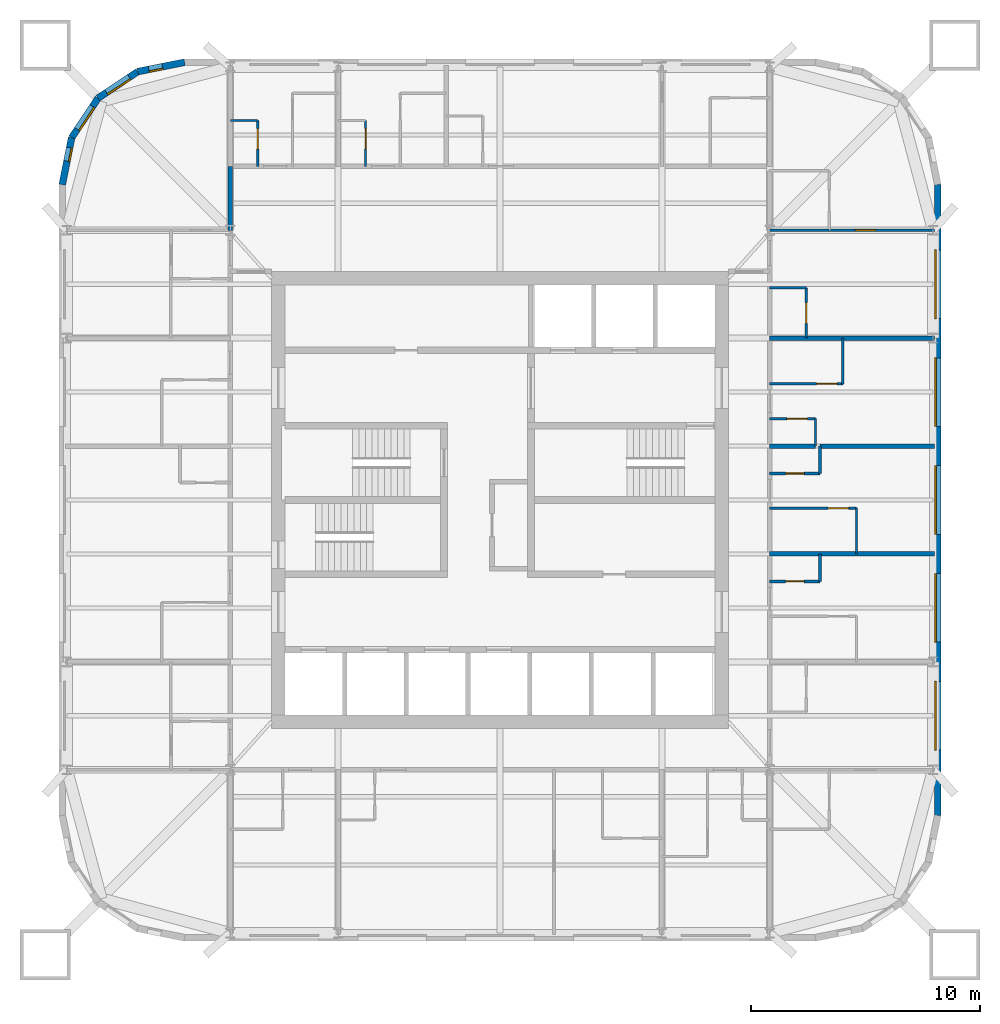
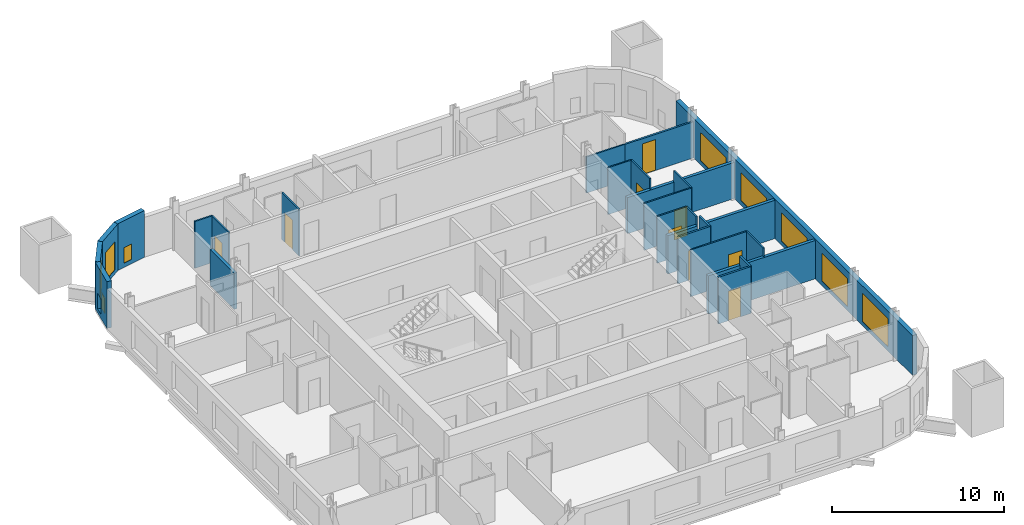
# One storey, part 6 of 9: 27 walls, 9 doors, 9 windows, 18 openings.
"""IFC4 building model written with IfcOpenShell, lengths in metres."""

from ifc_helpers import new_model, si_unit, direction, frame, frame_2d, origin, place, context, subcontext, project, spatial, rectangle, extrude, material, layer, layer_set, type_object, element, fill, save


model = new_model("IFC4")

# Units and contexts
model_context = context("Model", 3, precision=1e-05, world=origin(), true_north=direction((0.0, 1.0)))
body_context = subcontext(model_context, "Body", "Model", "MODEL_VIEW")
ifc_project = project(units=[si_unit("LENGTHUNIT", "METRE"), si_unit("AREAUNIT", "SQUARE_METRE"), si_unit("VOLUMEUNIT", "CUBIC_METRE"), si_unit("PLANEANGLEUNIT", "RADIAN"), si_unit("MASSUNIT", "GRAM", prefix="KILO")], contexts=[model_context])

# Site, building, storey
site_placement = place(None, origin())
site = spatial("IfcSite", under=ifc_project, at=site_placement, CompositionType="ELEMENT")
building_placement = place(site_placement, origin())
building = spatial("IfcBuilding", under=site, at=building_placement, Name="Turquesa Mirador Hotel Tower", CompositionType="ELEMENT")
storey_placement = place(building_placement, frame((0.0, 0.0, 210.800048828125)))
storey = spatial("IfcBuildingStorey", under=building, at=storey_placement, Name="L57", CompositionType="ELEMENT", Elevation=210.800048828125)

# Wall, opening, door
ifc_material_1 = material(Name="Gypsum board on steel studs", Category="steel")
ifc_layer_1 = layer(ifc_material_1, 0.10009765625)
ifc_layer_set_1 = layer_set([ifc_layer_1], Name="BATHROOM WALL 100")
wall_type_1 = type_object("IfcWallType", Name="BATHROOM WALL 100", PredefinedType="PARTITIONING", material=ifc_layer_set_1)
wall_1_placement = place(storey_placement, frame((66.800048828125, 44.639892578125, 0.0), z_axis=(0.0, 0.0, 1.0), x_axis=(1.0, 0.0, 0.0)))
wall_1 = element("IfcWall", 1, at=wall_1_placement, inside=storey, type_object=wall_type_1, Name="Partition L57 001", PredefinedType="PARTITIONING", context=body_context, shape_type="SweptSolid", body=[
    extrude(rectangle(XDim=3.800048828125, YDim=0.10009765625, at=frame_2d((1.89990234375, 0.0))), origin(), (0.0, 0.0, 1.0), 3.329833984375),
])
opening_1_placement = place(wall_1_placement, frame((2.550048828125, 0.0, 0.0)))
opening_1 = element("IfcOpeningElement", 2, at=opening_1_placement, cuts=wall_1, Name="Opening D02", PredefinedType="OPENING", context=body_context, shape_type="SweptSolid", body=[
    extrude(rectangle(XDim=0.89990234375, YDim=2.10009765625, at=frame_2d((0.449951171875, 1.050048828125))), frame((0.0, 0.06005859375, 0.0), z_axis=(0.0, -1.0, 0.0), x_axis=(1.0, 0.0, 0.0)), (0.0, 0.0, 1.0), 0.1201171875),
])
ifc_material_2 = material(Name="Timber veneered door", Category="wood")
door_type_1 = type_object("IfcDoorType", Name="DOOR 900X2100 EN-SUITE", OperationType="SINGLE_SWING_RIGHT", PredefinedType="DOOR", material=ifc_material_2)
door_1_placement = place(opening_1_placement, origin())
door_1 = element("IfcDoor", 3, at=door_1_placement, inside=storey, type_object=door_type_1, Name="Door 5708B", OperationType="SINGLE_SWING_RIGHT", OverallHeight=2.10009765625, OverallWidth=0.89990234375, PredefinedType="DOOR", context=body_context, shape_type="SweptSolid", body=[
    extrude(rectangle(XDim=0.89990234375, YDim=2.10009765625, at=frame_2d((0.449951171875, 1.050048828125))), frame((0.0, 0.02490234375, 0.0), z_axis=(0.0, -1.0, 0.0), x_axis=(1.0, 0.0, 0.0)), (0.0, 0.0, 1.0), 0.050048828125),
])
fill(opening_1, door_1)

# Walls
wall_2_placement = place(storey_placement, frame((66.800048828125, 56.800048828125, 0.0), z_axis=(0.0, 0.0, 1.0), x_axis=(1.0, 0.0, 0.0)))
element("IfcWall", 4, at=wall_2_placement, inside=storey, type_object=wall_type_1, Name="Partition L57 024", PredefinedType="PARTITIONING", context=body_context, shape_type="SweptSolid", body=[
    extrude(rectangle(XDim=2.599853515625, YDim=0.10009765625, at=frame_2d((1.2998046875, 0.0))), origin(), (0.0, 0.0, 1.0), 2.572998046875),
])
wall_3_placement = place(storey_placement, frame((43.199951171875, 61.60009765625, 0.0), z_axis=(0.0, 0.0, 1.0), x_axis=(1.0, 0.0, 0.0)))
element("IfcWall", 5, at=wall_3_placement, inside=storey, type_object=wall_type_1, Name="Partition L57 029", PredefinedType="PARTITIONING", context=body_context, shape_type="SweptSolid", body=[
    extrude(rectangle(XDim=1.199951171875, YDim=0.10009765625, at=frame_2d((0.60009765625, 0.0))), origin(), (0.0, 0.0, 1.0), 3.329833984375),
])

# Wall, opening, door
wall_4_placement = place(storey_placement, frame((66.800048828125, 48.56005859375, 0.0), z_axis=(0.0, 0.0, 1.0), x_axis=(1.0, 0.0, 0.0)))
wall_4 = element("IfcWall", 6, at=wall_4_placement, inside=storey, type_object=wall_type_1, Name="Partition L57 038", PredefinedType="PARTITIONING", context=body_context, shape_type="SweptSolid", body=[
    extrude(rectangle(XDim=2.0, YDim=0.10009765625, at=frame_2d((1.0, 0.0))), origin(), (0.0, 0.0, 1.0), 3.329833984375),
])
opening_2_placement = place(wall_4_placement, frame((0.75, 0.0, 0.0)))
opening_2 = element("IfcOpeningElement", 7, at=opening_2_placement, cuts=wall_4, Name="Opening D06", PredefinedType="OPENING", context=body_context, shape_type="SweptSolid", body=[
    extrude(rectangle(XDim=0.89990234375, YDim=2.10009765625, at=frame_2d((0.449951171875, 1.050048828125))), frame((0.0, 0.06005859375, 0.0), z_axis=(0.0, -1.0, 0.0), x_axis=(1.0, 0.0, 0.0)), (0.0, 0.0, 1.0), 0.1201171875),
])
ifc_material_3 = material(Name="Laminate door", Category="wood")
door_type_2 = type_object("IfcDoorType", Name="DOOR 900X2100 WC", OperationType="SINGLE_SWING_LEFT", PredefinedType="DOOR", material=ifc_material_3)
door_2_placement = place(opening_2_placement, origin())
door_2 = element("IfcDoor", 8, at=door_2_placement, inside=storey, type_object=door_type_2, Name="Door 5709W", OperationType="SINGLE_SWING_LEFT", OverallHeight=2.10009765625, OverallWidth=0.89990234375, PredefinedType="DOOR", context=body_context, shape_type="SweptSolid", body=[
    extrude(rectangle(XDim=0.89990234375, YDim=2.10009765625, at=frame_2d((0.449951171875, 1.050048828125))), frame((0.0, 0.02490234375, 0.0), z_axis=(0.0, -1.0, 0.0), x_axis=(1.0, 0.0, 0.0)), (0.0, 0.0, 1.0), 0.050048828125),
])
fill(opening_2, door_2)

wall_5_placement = place(storey_placement, frame((66.800048828125, 50.080078125, 0.0), z_axis=(0.0, 0.0, 1.0), x_axis=(1.0, 0.0, 0.0)))
wall_5 = element("IfcWall", 9, at=wall_5_placement, inside=storey, type_object=wall_type_1, Name="Partition L57 039", PredefinedType="PARTITIONING", context=body_context, shape_type="SweptSolid", body=[
    extrude(rectangle(XDim=3.199951171875, YDim=0.10009765625, at=frame_2d((1.60009765625, 0.0))), origin(), (0.0, 0.0, 1.0), 3.329833984375),
])
opening_3_placement = place(wall_5_placement, frame((2.050048828125, 0.0, 0.0)))
opening_3 = element("IfcOpeningElement", 10, at=opening_3_placement, cuts=wall_5, Name="Opening D02", PredefinedType="OPENING", context=body_context, shape_type="SweptSolid", body=[
    extrude(rectangle(XDim=0.89990234375, YDim=2.10009765625, at=frame_2d((0.449951171875, 1.050048828125))), frame((0.0, 0.06005859375, 0.0), z_axis=(0.0, -1.0, 0.0), x_axis=(1.0, 0.0, 0.0)), (0.0, 0.0, 1.0), 0.1201171875),
])
door_3_placement = place(opening_3_placement, origin())
door_3 = element("IfcDoor", 11, at=door_3_placement, inside=storey, type_object=door_type_1, Name="Door 5709B", OperationType="SINGLE_SWING_RIGHT", OverallHeight=2.10009765625, OverallWidth=0.89990234375, PredefinedType="DOOR", context=body_context, shape_type="SweptSolid", body=[
    extrude(rectangle(XDim=0.89990234375, YDim=2.10009765625, at=frame_2d((0.449951171875, 1.050048828125))), frame((0.0, 0.02490234375, 0.0), z_axis=(0.0, -1.0, 0.0), x_axis=(1.0, 0.0, 0.0)), (0.0, 0.0, 1.0), 0.050048828125),
])
fill(opening_3, door_3)

# Wall
wall_6_placement = place(storey_placement, frame((66.800048828125, 54.280029296875, 0.0), z_axis=(0.0, 0.0, 1.0), x_axis=(1.0, 0.0, 0.0)))
element("IfcWall", 12, at=wall_6_placement, inside=storey, type_object=wall_type_1, Name="Partition L57 043", PredefinedType="PARTITIONING", context=body_context, shape_type="SweptSolid", body=[
    extrude(rectangle(XDim=1.599853515625, YDim=0.10009765625, at=frame_2d((0.7998046875, 0.0))), origin(), (0.0, 0.0, 1.0), 3.329833984375),
])

# Wall, opening, door
wall_7_placement = place(storey_placement, frame((44.39990234375, 59.60009765625, 0.0), z_axis=(0.0, 0.0, 1.0), x_axis=(0.0, 1.0, 0.0)))
wall_7 = element("IfcWall", 13, at=wall_7_placement, inside=storey, type_object=wall_type_1, Name="Partition L57 046", PredefinedType="PARTITIONING", context=body_context, shape_type="SweptSolid", body=[
    extrude(rectangle(XDim=2.0, YDim=0.10009765625, at=frame_2d((1.0, 0.0))), origin(), (0.0, 0.0, 1.0), 3.329833984375),
])
opening_4_placement = place(wall_7_placement, frame((0.75, 0.0, 0.0)))
opening_4 = element("IfcOpeningElement", 14, at=opening_4_placement, cuts=wall_7, Name="Opening D06", PredefinedType="OPENING", context=body_context, shape_type="SweptSolid", body=[
    extrude(rectangle(XDim=0.89990234375, YDim=2.10009765625, at=frame_2d((0.449951171875, 1.050048828125))), frame((0.0, 0.06005859375, 0.0), z_axis=(0.0, -1.0, 0.0), x_axis=(1.0, 0.0, 0.0)), (0.0, 0.0, 1.0), 0.1201171875),
])
door_4_placement = place(opening_4_placement, origin())
door_4 = element("IfcDoor", 15, at=door_4_placement, inside=storey, type_object=door_type_2, Name="Door 5701W", OperationType="SINGLE_SWING_LEFT", OverallHeight=2.10009765625, OverallWidth=0.89990234375, PredefinedType="DOOR", context=body_context, shape_type="SweptSolid", body=[
    extrude(rectangle(XDim=0.89990234375, YDim=2.10009765625, at=frame_2d((0.449951171875, 1.050048828125))), frame((0.0, 0.02490234375, 0.0), z_axis=(0.0, -1.0, 0.0), x_axis=(1.0, 0.0, 0.0)), (0.0, 0.0, 1.0), 0.050048828125),
])
fill(opening_4, door_4)

wall_8_placement = place(storey_placement, frame((49.1201171875, 59.60009765625, 0.0), z_axis=(0.0, 0.0, 1.0), x_axis=(0.0, 1.0, 0.0)))
wall_8 = element("IfcWall", 16, at=wall_8_placement, inside=storey, type_object=wall_type_1, Name="Partition L57 060", PredefinedType="PARTITIONING", context=body_context, shape_type="SweptSolid", body=[
    extrude(rectangle(XDim=2.0, YDim=0.10009765625, at=frame_2d((1.0, 0.0))), origin(), (0.0, 0.0, 1.0), 3.329833984375),
])
opening_5_placement = place(wall_8_placement, frame((0.75, 0.0, 0.0)))
opening_5 = element("IfcOpeningElement", 17, at=opening_5_placement, cuts=wall_8, Name="Opening D06", PredefinedType="OPENING", context=body_context, shape_type="SweptSolid", body=[
    extrude(rectangle(XDim=0.89990234375, YDim=2.10009765625, at=frame_2d((0.449951171875, 1.050048828125))), frame((0.0, 0.06005859375, 0.0), z_axis=(0.0, -1.0, 0.0), x_axis=(1.0, 0.0, 0.0)), (0.0, 0.0, 1.0), 0.1201171875),
])
door_5_placement = place(opening_5_placement, origin())
door_5 = element("IfcDoor", 18, at=door_5_placement, inside=storey, type_object=door_type_2, Name="Door 5702W", OperationType="SINGLE_SWING_LEFT", OverallHeight=2.10009765625, OverallWidth=0.89990234375, PredefinedType="DOOR", context=body_context, shape_type="SweptSolid", body=[
    extrude(rectangle(XDim=0.89990234375, YDim=2.10009765625, at=frame_2d((0.449951171875, 1.050048828125))), frame((0.0, 0.02490234375, 0.0), z_axis=(0.0, -1.0, 0.0), x_axis=(1.0, 0.0, 0.0)), (0.0, 0.0, 1.0), 0.050048828125),
])
fill(opening_5, door_5)

wall_9_placement = place(storey_placement, frame((68.39990234375, 52.080078125, 0.0), z_axis=(0.0, 0.0, 1.0), x_axis=(0.0, 1.0, 0.0)))
wall_9 = element("IfcWall", 19, at=wall_9_placement, inside=storey, type_object=wall_type_1, Name="Partition L57 070", PredefinedType="PARTITIONING", context=body_context, shape_type="SweptSolid", body=[
    extrude(rectangle(XDim=2.199951171875, YDim=0.10009765625, at=frame_2d((1.10009765625, 0.0))), origin(), (0.0, 0.0, 1.0), 3.329833984375),
])
opening_6_placement = place(wall_9_placement, frame((0.64990234375, 0.0, 0.0)))
opening_6 = element("IfcOpeningElement", 20, at=opening_6_placement, cuts=wall_9, Name="Opening D06", PredefinedType="OPENING", context=body_context, shape_type="SweptSolid", body=[
    extrude(rectangle(XDim=0.89990234375, YDim=2.10009765625, at=frame_2d((0.449951171875, 1.050048828125))), frame((0.0, 0.06005859375, 0.0), z_axis=(0.0, -1.0, 0.0), x_axis=(1.0, 0.0, 0.0)), (0.0, 0.0, 1.0), 0.1201171875),
])
door_6_placement = place(opening_6_placement, origin())
door_6 = element("IfcDoor", 21, at=door_6_placement, inside=storey, type_object=door_type_2, Name="Door 5712W", OperationType="SINGLE_SWING_LEFT", OverallHeight=2.10009765625, OverallWidth=0.89990234375, PredefinedType="DOOR", context=body_context, shape_type="SweptSolid", body=[
    extrude(rectangle(XDim=0.89990234375, YDim=2.10009765625, at=frame_2d((0.449951171875, 1.050048828125))), frame((0.0, 0.02490234375, 0.0), z_axis=(0.0, -1.0, 0.0), x_axis=(1.0, 0.0, 0.0)), (0.0, 0.0, 1.0), 0.050048828125),
])
fill(opening_6, door_6)

# Walls
wall_10_placement = place(storey_placement, frame((68.800048828125, 47.360107421875, 0.0), z_axis=(0.0, 0.0, 1.0), x_axis=(0.0, 1.0, 0.0)))
element("IfcWall", 22, at=wall_10_placement, inside=storey, type_object=wall_type_1, Name="Partition L57 071", PredefinedType="PARTITIONING", context=body_context, shape_type="SweptSolid", body=[
    extrude(rectangle(XDim=1.199951171875, YDim=0.10009765625, at=frame_2d((0.60009765625, 0.0))), origin(), (0.0, 0.0, 1.0), 3.329833984375),
])
for number, where, z_axis, x_axis, name in (
    (23, (70.0, 50.080078125, 0.0), (0.0, 0.0, 1.0), (0.0, 1.0, 0.0), "Partition L57 076"),
    (24, (70.60009765625, 42.639892578125, 0.0), (0.0, 0.0, 1.0), (0.0, 1.0, 0.0), "Partition L57 078"),
):
    element("IfcWall", number, at=place(storey_placement, frame(where, z_axis=z_axis, x_axis=x_axis)), inside=storey, type_object=wall_type_1, Name=name, PredefinedType="PARTITIONING", context=body_context, shape_type="SweptSolid", body=[
        extrude(rectangle(XDim=2.0, YDim=0.10009765625, at=frame_2d((1.0, 0.0))), origin(), (0.0, 0.0, 1.0), 3.329833984375),
    ])
ifc_material_4 = material(Name="Fire-rated gypsum board on steel studs", Category="steel")
ifc_layer_2 = layer(ifc_material_4, 0.199951171875)
ifc_layer_set_2 = layer_set([ifc_layer_2], Name="CORRIDOR WALL 200")
wall_type_2 = type_object("IfcWallType", Name="CORRIDOR WALL 200", PredefinedType="PARTITIONING", material=ifc_layer_set_2)
wall_11_placement = place(storey_placement, frame((43.199951171875, 56.780029296875, 0.0), z_axis=(0.0, 0.0, 1.0), x_axis=(0.0, 1.0, 0.0)))
element("IfcWall", 25, at=wall_11_placement, inside=storey, type_object=wall_type_2, Name="Partition L57 085", PredefinedType="PARTITIONING", context=body_context, shape_type="SweptSolid", body=[
    extrude(rectangle(XDim=2.820068359375, YDim=0.199951171875, at=frame_2d((1.41015625, 0.0))), origin(), (0.0, 0.0, 1.0), 2.572998046875),
])

# Wall, openings, windows
ifc_material_5 = material(Name="Limestone cladding on concrete block", Category="masonry")
ifc_layer_3 = layer(ifc_material_5, 0.300048828125)
ifc_layer_set_3 = layer_set([ifc_layer_3], Name="FACADE WALL 300 STONE SCREEN")
wall_type_3 = type_object("IfcWallType", Name="FACADE WALL 300 STONE SCREEN", PredefinedType="SOLIDWALL", material=ifc_layer_set_3)
wall_12_placement = place(storey_placement, frame((74.14990234375, 31.199951171875, 0.0), z_axis=(0.0, 0.0, 1.0), x_axis=(0.0, 1.0, 0.0)))
wall_12 = element("IfcWall", 26, at=wall_12_placement, inside=storey, type_object=wall_type_3, Name="Facade wall L57 04", PredefinedType="SOLIDWALL", context=body_context, shape_type="SweptSolid", body=[
    extrude(rectangle(XDim=27.60009765625, YDim=0.300048828125, at=frame_2d((13.800048828125, 0.0))), origin(), (0.0, 0.0, 1.0), 2.829833984375),
])
opening_7_placement = place(wall_12_placement, frame((2.860107421875, 0.0, 0.300048828125)))
opening_7 = element("IfcOpeningElement", 27, at=opening_7_placement, cuts=wall_12, Name="Opening WN1", PredefinedType="OPENING", context=body_context, shape_type="SweptSolid", body=[
    extrude(rectangle(XDim=3.0, YDim=2.0, at=frame_2d((1.5, 1.0))), frame((0.0, 0.159912109375, 0.0), z_axis=(0.0, -1.0, 0.0), x_axis=(1.0, 0.0, 0.0)), (0.0, 0.0, 1.0), 0.320068359375),
])
opening_8_placement = place(wall_12_placement, frame((7.580078125, 0.0, 0.300048828125)))
opening_8 = element("IfcOpeningElement", 28, at=opening_8_placement, cuts=wall_12, Name="Opening WN1", PredefinedType="OPENING", context=body_context, shape_type="SweptSolid", body=[
    extrude(rectangle(XDim=3.0, YDim=2.0, at=frame_2d((1.5, 1.0))), frame((0.0, 0.159912109375, 0.0), z_axis=(0.0, -1.0, 0.0), x_axis=(1.0, 0.0, 0.0)), (0.0, 0.0, 1.0), 0.320068359375),
])
opening_9_placement = place(wall_12_placement, frame((12.300048828125, 0.0, 0.300048828125)))
opening_9 = element("IfcOpeningElement", 29, at=opening_9_placement, cuts=wall_12, Name="Opening WN1", PredefinedType="OPENING", context=body_context, shape_type="SweptSolid", body=[
    extrude(rectangle(XDim=3.0, YDim=2.0, at=frame_2d((1.5, 1.0))), frame((0.0, 0.159912109375, 0.0), z_axis=(0.0, -1.0, 0.0), x_axis=(1.0, 0.0, 0.0)), (0.0, 0.0, 1.0), 0.320068359375),
])
opening_10_placement = place(wall_12_placement, frame((17.02001953125, 0.0, 0.300048828125)))
opening_10 = element("IfcOpeningElement", 30, at=opening_10_placement, cuts=wall_12, Name="Opening WN1", PredefinedType="OPENING", context=body_context, shape_type="SweptSolid", body=[
    extrude(rectangle(XDim=3.0, YDim=2.0, at=frame_2d((1.5, 1.0))), frame((0.0, 0.159912109375, 0.0), z_axis=(0.0, -1.0, 0.0), x_axis=(1.0, 0.0, 0.0)), (0.0, 0.0, 1.0), 0.320068359375),
])
opening_11_placement = place(wall_12_placement, frame((21.739990234375, 0.0, 0.300048828125)))
opening_11 = element("IfcOpeningElement", 31, at=opening_11_placement, cuts=wall_12, Name="Opening WN1", PredefinedType="OPENING", context=body_context, shape_type="SweptSolid", body=[
    extrude(rectangle(XDim=3.0, YDim=2.0, at=frame_2d((1.5, 1.0))), frame((0.0, 0.159912109375, 0.0), z_axis=(0.0, -1.0, 0.0), x_axis=(1.0, 0.0, 0.0)), (0.0, 0.0, 1.0), 0.320068359375),
])
ifc_material_6 = material(Name="Ceramic-fritted laminated glass", Category="glass")
window_type_1 = type_object("IfcWindowType", Name="FRITTED WINDOW 3000X2000", PartitioningType="DOUBLE_PANEL_HORIZONTAL", PredefinedType="WINDOW", material=ifc_material_6)
window_1_placement = place(opening_7_placement, origin())
window_1 = element("IfcWindow", 32, at=window_1_placement, inside=storey, type_object=window_type_1, Name="Window L57", OverallHeight=2.0, OverallWidth=3.0, PartitioningType="SINGLE_PANEL", PredefinedType="WINDOW", context=body_context, shape_type="SweptSolid", body=[
    extrude(rectangle(XDim=3.0, YDim=2.0, at=frame_2d((1.5, 1.0))), frame((0.0, 0.130126953125, 0.0), z_axis=(0.0, -1.0, 0.0), x_axis=(1.0, 0.0, 0.0)), (0.0, 0.0, 1.0), 0.06005859375),
])
fill(opening_7, window_1)
window_2_placement = place(opening_8_placement, origin())
window_2 = element("IfcWindow", 33, at=window_2_placement, inside=storey, type_object=window_type_1, Name="Window L57", OverallHeight=2.0, OverallWidth=3.0, PartitioningType="SINGLE_PANEL", PredefinedType="WINDOW", context=body_context, shape_type="SweptSolid", body=[
    extrude(rectangle(XDim=3.0, YDim=2.0, at=frame_2d((1.5, 1.0))), frame((0.0, 0.130126953125, 0.0), z_axis=(0.0, -1.0, 0.0), x_axis=(1.0, 0.0, 0.0)), (0.0, 0.0, 1.0), 0.06005859375),
])
fill(opening_8, window_2)
window_3_placement = place(opening_9_placement, origin())
window_3 = element("IfcWindow", 34, at=window_3_placement, inside=storey, type_object=window_type_1, Name="Window L57", OverallHeight=2.0, OverallWidth=3.0, PartitioningType="SINGLE_PANEL", PredefinedType="WINDOW", context=body_context, shape_type="SweptSolid", body=[
    extrude(rectangle(XDim=3.0, YDim=2.0, at=frame_2d((1.5, 1.0))), frame((0.0, 0.130126953125, 0.0), z_axis=(0.0, -1.0, 0.0), x_axis=(1.0, 0.0, 0.0)), (0.0, 0.0, 1.0), 0.06005859375),
])
fill(opening_9, window_3)
window_4_placement = place(opening_10_placement, origin())
window_4 = element("IfcWindow", 35, at=window_4_placement, inside=storey, type_object=window_type_1, Name="Window L57", OverallHeight=2.0, OverallWidth=3.0, PartitioningType="SINGLE_PANEL", PredefinedType="WINDOW", context=body_context, shape_type="SweptSolid", body=[
    extrude(rectangle(XDim=3.0, YDim=2.0, at=frame_2d((1.5, 1.0))), frame((0.0, 0.130126953125, 0.0), z_axis=(0.0, -1.0, 0.0), x_axis=(1.0, 0.0, 0.0)), (0.0, 0.0, 1.0), 0.06005859375),
])
fill(opening_10, window_4)
window_5_placement = place(opening_11_placement, origin())
window_5 = element("IfcWindow", 36, at=window_5_placement, inside=storey, type_object=window_type_1, Name="Window L57", OverallHeight=2.0, OverallWidth=3.0, PartitioningType="SINGLE_PANEL", PredefinedType="WINDOW", context=body_context, shape_type="SweptSolid", body=[
    extrude(rectangle(XDim=3.0, YDim=2.0, at=frame_2d((1.5, 1.0))), frame((0.0, 0.130126953125, 0.0), z_axis=(0.0, -1.0, 0.0), x_axis=(1.0, 0.0, 0.0)), (0.0, 0.0, 1.0), 0.06005859375),
])
fill(opening_11, window_5)

# Wall, opening, window
wall_13_placement = place(storey_placement, frame((41.199951171875, 64.14990234375, 0.0), z_axis=(0.0, 0.0, 1.0), x_axis=(-0.980787050784, -0.195081421501, 0.0)))
wall_13 = element("IfcWall", 37, at=wall_13_placement, inside=storey, type_object=wall_type_3, Name="Facade wall L57 10", PredefinedType="SOLIDWALL", context=body_context, shape_type="SweptSolid", body=[
    extrude(rectangle(XDim=2.08740234375, YDim=0.300048828125, at=frame_2d((1.043701171875, 0.0))), origin(), (0.0, 0.0, 1.0), 3.329833984375),
])
opening_12_placement = place(wall_13_placement, frame((0.99365234375, 0.0, 0.300048828125)))
opening_12 = element("IfcOpeningElement", 38, at=opening_12_placement, cuts=wall_13, Name="Opening WN12", PredefinedType="OPENING", context=body_context, shape_type="SweptSolid", body=[
    extrude(rectangle(XDim=0.60009765625, YDim=1.10009765625, at=frame_2d((0.300048828125, 0.550048828125))), frame((0.0, 0.159912109375, 0.0), z_axis=(0.0, -1.0, 0.0), x_axis=(1.0, 0.0, 0.0)), (0.0, 0.0, 1.0), 0.320068359375),
])
ifc_material_7 = material(Name="Ceramic-fritted laminated glass", Category="glass")
window_type_2 = type_object("IfcWindowType", Name="FRITTED CORNER WINDOW 600X1100", PartitioningType="DOUBLE_PANEL_HORIZONTAL", PredefinedType="WINDOW", material=ifc_material_7)
window_6_placement = place(opening_12_placement, origin())
window_6 = element("IfcWindow", 39, at=window_6_placement, inside=storey, type_object=window_type_2, Name="Window L57", OverallHeight=1.10009765625, OverallWidth=0.60009765625, PartitioningType="SINGLE_PANEL", PredefinedType="WINDOW", context=body_context, shape_type="SweptSolid", body=[
    extrude(rectangle(XDim=0.60009765625, YDim=1.10009765625, at=frame_2d((0.300048828125, 0.550048828125))), frame((0.0, 0.130126953125, 0.0), z_axis=(0.0, -1.0, 0.0), x_axis=(1.0, 0.0, 0.0)), (0.0, 0.0, 1.0), 0.06005859375),
])
fill(opening_12, window_6)

wall_14_placement = place(storey_placement, frame((39.152587890625, 63.74267578125, 0.0), z_axis=(0.0, 0.0, 1.0), x_axis=(-0.831474039234, -0.555563607591, 0.0)))
wall_14 = element("IfcWall", 40, at=wall_14_placement, inside=storey, type_object=wall_type_3, Name="Facade wall L57 11", PredefinedType="SOLIDWALL", context=body_context, shape_type="SweptSolid", body=[
    extrude(rectangle(XDim=2.08740234375, YDim=0.300048828125, at=frame_2d((1.043701171875, 0.0))), origin(), (0.0, 0.0, 1.0), 3.329833984375),
])
opening_13_placement = place(wall_14_placement, frame((0.443603515625, 0.0, 0.300048828125)))
opening_13 = element("IfcOpeningElement", 41, at=opening_13_placement, cuts=wall_14, Name="Opening WN4", PredefinedType="OPENING", context=body_context, shape_type="SweptSolid", body=[
    extrude(rectangle(XDim=1.199951171875, YDim=2.0, at=frame_2d((0.60009765625, 1.0))), frame((0.0, 0.159912109375, 0.0), z_axis=(0.0, -1.0, 0.0), x_axis=(1.0, 0.0, 0.0)), (0.0, 0.0, 1.0), 0.320068359375),
])
ifc_material_8 = material(Name="Ceramic-fritted laminated glass", Category="glass")
window_type_3 = type_object("IfcWindowType", Name="FRITTED CORNER WINDOW 1200X2000", PartitioningType="DOUBLE_PANEL_HORIZONTAL", PredefinedType="WINDOW", material=ifc_material_8)
window_7_placement = place(opening_13_placement, origin())
window_7 = element("IfcWindow", 42, at=window_7_placement, inside=storey, type_object=window_type_3, Name="Window L57", OverallHeight=2.0, OverallWidth=1.199951171875, PartitioningType="SINGLE_PANEL", PredefinedType="WINDOW", context=body_context, shape_type="SweptSolid", body=[
    extrude(rectangle(XDim=1.199951171875, YDim=2.0, at=frame_2d((0.60009765625, 1.0))), frame((0.0, 0.130126953125, 0.0), z_axis=(0.0, -1.0, 0.0), x_axis=(1.0, 0.0, 0.0)), (0.0, 0.0, 1.0), 0.06005859375),
])
fill(opening_13, window_7)

wall_15_placement = place(storey_placement, frame((37.4169921875, 62.5830078125, 0.0), z_axis=(0.0, 0.0, 1.0), x_axis=(-0.555563607591, -0.831474039234, 0.0)))
wall_15 = element("IfcWall", 43, at=wall_15_placement, inside=storey, type_object=wall_type_3, Name="Facade wall L57 12", PredefinedType="SOLIDWALL", context=body_context, shape_type="SweptSolid", body=[
    extrude(rectangle(XDim=2.08740234375, YDim=0.300048828125, at=frame_2d((1.043701171875, 0.0))), origin(), (0.0, 0.0, 1.0), 3.329833984375),
])
opening_14_placement = place(wall_15_placement, frame((0.443603515625, 0.0, 0.300048828125)))
opening_14 = element("IfcOpeningElement", 44, at=opening_14_placement, cuts=wall_15, Name="Opening WN4", PredefinedType="OPENING", context=body_context, shape_type="SweptSolid", body=[
    extrude(rectangle(XDim=1.199951171875, YDim=2.0, at=frame_2d((0.60009765625, 1.0))), frame((0.0, 0.159912109375, 0.0), z_axis=(0.0, -1.0, 0.0), x_axis=(1.0, 0.0, 0.0)), (0.0, 0.0, 1.0), 0.320068359375),
])
window_8_placement = place(opening_14_placement, origin())
window_8 = element("IfcWindow", 45, at=window_8_placement, inside=storey, type_object=window_type_3, Name="Window L57", OverallHeight=2.0, OverallWidth=1.199951171875, PartitioningType="SINGLE_PANEL", PredefinedType="WINDOW", context=body_context, shape_type="SweptSolid", body=[
    extrude(rectangle(XDim=1.199951171875, YDim=2.0, at=frame_2d((0.60009765625, 1.0))), frame((0.0, 0.130126953125, 0.0), z_axis=(0.0, -1.0, 0.0), x_axis=(1.0, 0.0, 0.0)), (0.0, 0.0, 1.0), 0.06005859375),
])
fill(opening_14, window_8)

wall_16_placement = place(storey_placement, frame((36.25732421875, 60.847412109375, 0.0), z_axis=(0.0, 0.0, 1.0), x_axis=(-0.195081421501, -0.980787050784, 0.0)))
wall_16 = element("IfcWall", 46, at=wall_16_placement, inside=storey, type_object=wall_type_3, Name="Facade wall L57 13", PredefinedType="SOLIDWALL", context=body_context, shape_type="SweptSolid", body=[
    extrude(rectangle(XDim=2.08740234375, YDim=0.300048828125, at=frame_2d((1.043701171875, 0.0))), origin(), (0.0, 0.0, 1.0), 3.329833984375),
])
opening_15_placement = place(wall_16_placement, frame((0.443603515625, 0.0, 0.300048828125)))
opening_15 = element("IfcOpeningElement", 47, at=opening_15_placement, cuts=wall_16, Name="Opening WN12", PredefinedType="OPENING", context=body_context, shape_type="SweptSolid", body=[
    extrude(rectangle(XDim=0.60009765625, YDim=1.10009765625, at=frame_2d((0.300048828125, 0.550048828125))), frame((0.0, 0.159912109375, 0.0), z_axis=(0.0, -1.0, 0.0), x_axis=(1.0, 0.0, 0.0)), (0.0, 0.0, 1.0), 0.320068359375),
])
window_9_placement = place(opening_15_placement, origin())
window_9 = element("IfcWindow", 48, at=window_9_placement, inside=storey, type_object=window_type_2, Name="Window L57", OverallHeight=1.10009765625, OverallWidth=0.60009765625, PartitioningType="SINGLE_PANEL", PredefinedType="WINDOW", context=body_context, shape_type="SweptSolid", body=[
    extrude(rectangle(XDim=0.60009765625, YDim=1.10009765625, at=frame_2d((0.300048828125, 0.550048828125))), frame((0.0, 0.130126953125, 0.0), z_axis=(0.0, -1.0, 0.0), x_axis=(1.0, 0.0, 0.0)), (0.0, 0.0, 1.0), 0.06005859375),
])
fill(opening_15, window_9)

# Walls
ifc_material_9 = material(Name="Fire-rated gypsum board on steel studs", Category="steel")
ifc_layer_4 = layer(ifc_material_9, 0.199951171875)
ifc_layer_set_4 = layer_set([ifc_layer_4], Name="PARTY WALL 200")
wall_type_4 = type_object("IfcWallType", Name="PARTY WALL 200", PredefinedType="PARTITIONING", material=ifc_layer_set_4)
wall_17_placement = place(storey_placement, frame((66.800048828125, 42.639892578125, 0.0), z_axis=(0.0, 0.0, 1.0), x_axis=(1.0, 0.0, 0.0)))
element("IfcWall", 49, at=wall_17_placement, inside=storey, type_object=wall_type_4, Name="Partition L57 012", PredefinedType="PARTITIONING", context=body_context, shape_type="SweptSolid", body=[
    extrude(rectangle(XDim=7.199951171875, YDim=0.199951171875, at=frame_2d((3.60009765625, 0.0))), origin(), (0.0, 0.0, 1.0), 2.73046875),
])
wall_18_placement = place(storey_placement, frame((66.800048828125, 47.360107421875, 0.0), z_axis=(0.0, 0.0, 1.0), x_axis=(1.0, 0.0, 0.0)))
element("IfcWall", 50, at=wall_18_placement, inside=storey, type_object=wall_type_4, Name="Partition L57 036", PredefinedType="PARTITIONING", context=body_context, shape_type="SweptSolid", body=[
    extrude(rectangle(XDim=2.0, YDim=0.199951171875, at=frame_2d((1.0, 0.0))), origin(), (0.0, 0.0, 1.0), 2.73046875),
])
wall_19_placement = place(storey_placement, frame((69.0, 47.360107421875, 0.0), z_axis=(0.0, 0.0, 1.0), x_axis=(1.0, 0.0, 0.0)))
element("IfcWall", 51, at=wall_19_placement, inside=storey, type_object=wall_type_4, Name="Partition L57 037", PredefinedType="PARTITIONING", context=body_context, shape_type="SweptSolid", body=[
    extrude(rectangle(XDim=5.0, YDim=0.199951171875, at=frame_2d((2.5, 0.0))), origin(), (0.0, 0.0, 1.0), 2.73046875),
])
wall_20_placement = place(storey_placement, frame((66.800048828125, 52.080078125, 0.0), z_axis=(0.0, 0.0, 1.0), x_axis=(1.0, 0.0, 0.0)))
element("IfcWall", 52, at=wall_20_placement, inside=storey, type_object=wall_type_4, Name="Partition L57 042", PredefinedType="PARTITIONING", context=body_context, shape_type="SweptSolid", body=[
    extrude(rectangle(XDim=7.199951171875, YDim=0.199951171875, at=frame_2d((3.60009765625, 0.0))), origin(), (0.0, 0.0, 1.0), 2.572998046875),
])

# Wall, opening, door
ifc_material_10 = material(Name="Acoustic gypsum board on steel studs", Category="steel")
ifc_layer_5 = layer(ifc_material_10, 0.125)
ifc_layer_set_5 = layer_set([ifc_layer_5], Name="SUITE PARTITION 125")
wall_type_5 = type_object("IfcWallType", Name="SUITE PARTITION 125", PredefinedType="PARTITIONING", material=ifc_layer_set_5)
wall_21_placement = place(storey_placement, frame((66.800048828125, 41.43994140625, 0.0), z_axis=(0.0, 0.0, 1.0), x_axis=(1.0, 0.0, 0.0)))
wall_21 = element("IfcWall", 53, at=wall_21_placement, inside=storey, type_object=wall_type_5, Name="Partition L57 013", PredefinedType="PARTITIONING", context=body_context, shape_type="SweptSolid", body=[
    extrude(rectangle(XDim=2.199951171875, YDim=0.125, at=frame_2d((1.10009765625, 0.0))), origin(), (0.0, 0.0, 1.0), 3.329833984375),
])
opening_16_placement = place(wall_21_placement, frame((0.699951171875, 0.0, 0.0)))
opening_16 = element("IfcOpeningElement", 54, at=opening_16_placement, cuts=wall_21, Name="Opening D20", PredefinedType="OPENING", context=body_context, shape_type="SweptSolid", body=[
    extrude(rectangle(XDim=0.800048828125, YDim=2.10009765625, at=frame_2d((0.39990234375, 1.050048828125))), frame((0.0, 0.072509765625, 0.0), z_axis=(0.0, -1.0, 0.0), x_axis=(1.0, 0.0, 0.0)), (0.0, 0.0, 1.0), 0.14501953125),
])
ifc_material_11 = material(Name="Timber veneered sliding door", Category="wood")
door_type_3 = type_object("IfcDoorType", Name="DOOR 800X2100 WARDROBE", OperationType="SLIDING_TO_LEFT", PredefinedType="DOOR", material=ifc_material_11)
door_7_placement = place(opening_16_placement, origin())
door_7 = element("IfcDoor", 55, at=door_7_placement, inside=storey, type_object=door_type_3, Name="Door 5707W", OperationType="SLIDING_TO_LEFT", OverallHeight=2.10009765625, OverallWidth=0.800048828125, PredefinedType="DOOR", context=body_context, shape_type="SweptSolid", body=[
    extrude(rectangle(XDim=0.800048828125, YDim=2.10009765625, at=frame_2d((0.39990234375, 1.050048828125))), frame((0.0, 0.02490234375, 0.0), z_axis=(0.0, -1.0, 0.0), x_axis=(1.0, 0.0, 0.0)), (0.0, 0.0, 1.0), 0.050048828125),
])
fill(opening_16, door_7)

wall_22_placement = place(storey_placement, frame((66.800048828125, 46.159912109375, 0.0), z_axis=(0.0, 0.0, 1.0), x_axis=(1.0, 0.0, 0.0)))
wall_22 = element("IfcWall", 56, at=wall_22_placement, inside=storey, type_object=wall_type_5, Name="Partition L57 021", PredefinedType="PARTITIONING", context=body_context, shape_type="SweptSolid", body=[
    extrude(rectangle(XDim=2.199951171875, YDim=0.125, at=frame_2d((1.10009765625, 0.0))), origin(), (0.0, 0.0, 1.0), 3.329833984375),
])
opening_17_placement = place(wall_22_placement, frame((0.699951171875, 0.0, 0.0)))
opening_17 = element("IfcOpeningElement", 57, at=opening_17_placement, cuts=wall_22, Name="Opening D20", PredefinedType="OPENING", context=body_context, shape_type="SweptSolid", body=[
    extrude(rectangle(XDim=0.800048828125, YDim=2.10009765625, at=frame_2d((0.39990234375, 1.050048828125))), frame((0.0, 0.072509765625, 0.0), z_axis=(0.0, -1.0, 0.0), x_axis=(1.0, 0.0, 0.0)), (0.0, 0.0, 1.0), 0.14501953125),
])
door_8_placement = place(opening_17_placement, origin())
door_8 = element("IfcDoor", 58, at=door_8_placement, inside=storey, type_object=door_type_3, Name="Door 5708W", OperationType="SLIDING_TO_LEFT", OverallHeight=2.10009765625, OverallWidth=0.800048828125, PredefinedType="DOOR", context=body_context, shape_type="SweptSolid", body=[
    extrude(rectangle(XDim=0.800048828125, YDim=2.10009765625, at=frame_2d((0.39990234375, 1.050048828125))), frame((0.0, 0.02490234375, 0.0), z_axis=(0.0, -1.0, 0.0), x_axis=(1.0, 0.0, 0.0)), (0.0, 0.0, 1.0), 0.050048828125),
])
fill(opening_17, door_8)

wall_23_placement = place(storey_placement, frame((69.39990234375, 56.800048828125, 0.0), z_axis=(0.0, 0.0, 1.0), x_axis=(1.0, 0.0, 0.0)))
wall_23 = element("IfcWall", 59, at=wall_23_placement, inside=storey, type_object=wall_type_5, Name="Partition L57 026", PredefinedType="PARTITIONING", context=body_context, shape_type="SweptSolid", body=[
    extrude(rectangle(XDim=4.60009765625, YDim=0.125, at=frame_2d((2.300048828125, 0.0))), origin(), (0.0, 0.0, 1.0), 2.572998046875),
])
opening_18_placement = place(wall_23_placement, frame((1.14990234375, 0.0, 0.0)))
opening_18 = element("IfcOpeningElement", 60, at=opening_18_placement, cuts=wall_23, Name="Opening D17", PredefinedType="OPENING", context=body_context, shape_type="SweptSolid", body=[
    extrude(rectangle(XDim=0.89990234375, YDim=2.199951171875, at=frame_2d((0.449951171875, 1.10009765625))), frame((0.0, 0.072509765625, 0.0), z_axis=(0.0, -1.0, 0.0), x_axis=(1.0, 0.0, 0.0)), (0.0, 0.0, 1.0), 0.14501953125),
])
ifc_material_12 = material(Name="Timber veneered door", Category="wood")
door_type_4 = type_object("IfcDoorType", Name="DOOR 900X2200 SUITE INTERNAL", OperationType="SINGLE_SWING_LEFT", PredefinedType="DOOR", material=ifc_material_12)
door_9_placement = place(opening_18_placement, origin())
door_9 = element("IfcDoor", 61, at=door_9_placement, inside=storey, type_object=door_type_4, Name="Door 5712R", OperationType="SINGLE_SWING_LEFT", OverallHeight=2.199951171875, OverallWidth=0.89990234375, PredefinedType="DOOR", context=body_context, shape_type="SweptSolid", body=[
    extrude(rectangle(XDim=0.89990234375, YDim=2.199951171875, at=frame_2d((0.449951171875, 1.10009765625))), frame((0.0, 0.02490234375, 0.0), z_axis=(0.0, -1.0, 0.0), x_axis=(1.0, 0.0, 0.0)), (0.0, 0.0, 1.0), 0.050048828125),
])
fill(opening_18, door_9)

# Walls
wall_24_placement = place(storey_placement, frame((69.0, 41.43994140625, 0.0), z_axis=(0.0, 0.0, 1.0), x_axis=(0.0, 1.0, 0.0)))
element("IfcWall", 62, at=wall_24_placement, inside=storey, type_object=wall_type_5, Name="Partition L57 072", PredefinedType="PARTITIONING", context=body_context, shape_type="SweptSolid", body=[
    extrude(rectangle(XDim=1.199951171875, YDim=0.125, at=frame_2d((0.60009765625, 0.0))), origin(), (0.0, 0.0, 1.0), 3.329833984375),
])
wall_25_placement = place(storey_placement, frame((69.0, 46.159912109375, 0.0), z_axis=(0.0, 0.0, 1.0), x_axis=(0.0, 1.0, 0.0)))
element("IfcWall", 63, at=wall_25_placement, inside=storey, type_object=wall_type_5, Name="Partition L57 073", PredefinedType="PARTITIONING", context=body_context, shape_type="SweptSolid", body=[
    extrude(rectangle(XDim=1.2001953125, YDim=0.125, at=frame_2d((0.60009765625, 0.0))), origin(), (0.0, 0.0, 1.0), 3.329833984375),
])

save(model, "model.ifc")
